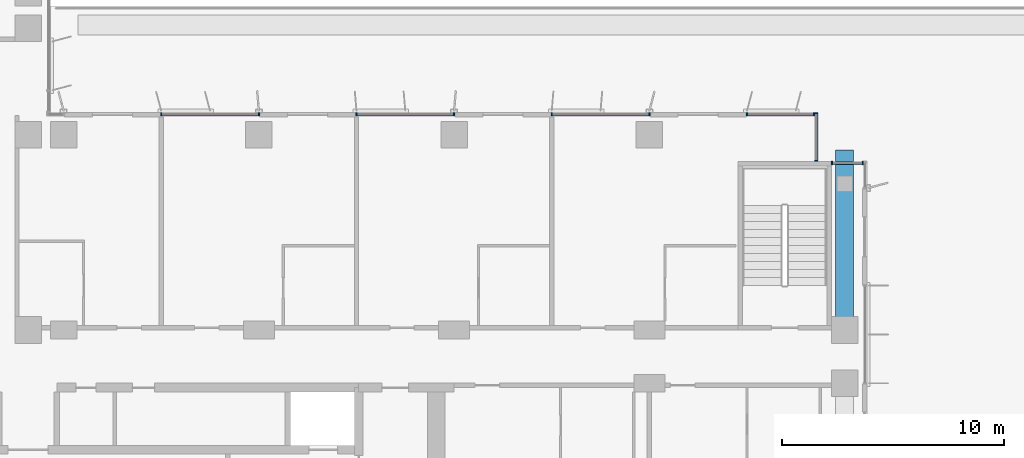
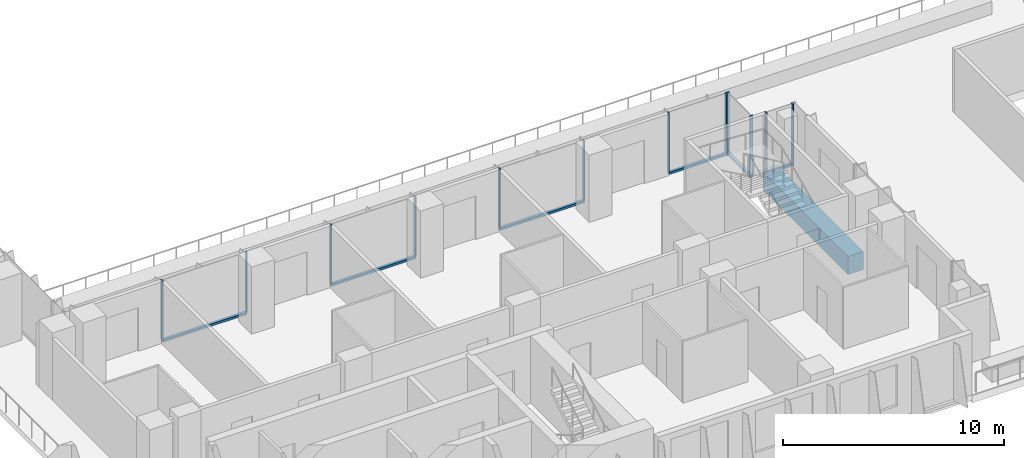
# One storey, part 4 of 27: 18 members, 1 beam, 6 elements without a shape of their own.
"""IFC4 building model written with IfcOpenShell, lengths in metres."""

from ifc_helpers import new_model, si_unit, direction, frame, origin, origin_2d, place, context, subcontext, project, spatial, rectangle, extrude, source, transform, mapped, material, material_profile, profile_set, type_object, element, aggregate, save


model = new_model("IFC4")

# Units and contexts
model_context = context("Model", 3, precision=1e-05, world=origin(), true_north=direction((0.0, 1.0)))
body_context = subcontext(model_context, "Body", "Model", "MODEL_VIEW")
ifc_project = project(units=[si_unit("LENGTHUNIT", "METRE"), si_unit("AREAUNIT", "SQUARE_METRE"), si_unit("VOLUMEUNIT", "CUBIC_METRE"), si_unit("PLANEANGLEUNIT", "RADIAN"), si_unit("MASSUNIT", "GRAM", prefix="KILO")], contexts=[model_context])

# Site, building, storey
site_placement = place(None, origin())
site = spatial("IfcSite", under=ifc_project, at=site_placement, CompositionType="ELEMENT")
building_placement = place(site_placement, origin())
building = spatial("IfcBuilding", under=site, at=building_placement, Name="Kemantara Hotel Tower", CompositionType="ELEMENT")
storey_placement = place(building_placement, frame((0.0, 0.0, 83.39990234375)))
storey = spatial("IfcBuildingStorey", under=building, at=storey_placement, Name="L19", CompositionType="ELEMENT", Elevation=83.39990234375)

# Beam
ifc_material_1 = material(Name="Concrete fc 70 MPa", Category="concrete")
ifc_material_profile_1 = material_profile(ifc_material_1, rectangle(XDim=0.800048828125, YDim=1.0, at=origin_2d()), Name="RC 800X1000")
ifc_profile_set_1 = profile_set([ifc_material_profile_1], Name="Concrete fc 70 MPa")
beam_type = type_object("IfcBeamType", Name="RC TRANSFER BEAM 800X1000 FC70", PredefinedType="BEAM", material=ifc_profile_set_1)
beam_placement = place(storey_placement, frame((62.60009765625, 12.60009765625, -0.7998046875), z_axis=(0.0, 1.0, 0.0), x_axis=(-1.0, 0.0, 0.0)))
element("IfcBeam", 1, at=beam_placement, inside=storey, type_object=beam_type, Name="Transfer beam TB2 L19", PredefinedType="BEAM", context=body_context, shape_type="SweptSolid", body=[
    extrude(rectangle(XDim=0.800048828125, YDim=1.0, at=origin_2d()), origin(), (0.0, 0.0, 1.0), 7.699951171875),
])

# Curtain wall, member
ifc_material_2 = material(Name="Toughened tinted glass 32 mm", Category="glass")
curtain_wall_type = type_object("IfcCurtainWallType", Name="TERRACE GLAZING WALL", PredefinedType="USERDEFINED", material=ifc_material_2)
curtain_wall_1_placement = place(storey_placement, origin())
curtain_wall_1 = element("IfcCurtainWall", 2, at=curtain_wall_1_placement, inside=storey, type_object=curtain_wall_type, Name="CW6 L19 T2-R13-1", ObjectType="TERRACE GLAZING WALL", PredefinedType="USERDEFINED")
ifc_material_3 = material(Name="Aluminium 6063-T6 bronze anodised", Category="aluminium")
ifc_material_profile_2 = material_profile(ifc_material_3, rectangle(XDim=0.14990234375, YDim=0.1201171875, at=origin_2d()), Name="TERRACE GLAZING WALL TRANSOM")
ifc_profile_set_2 = profile_set([ifc_material_profile_2], Name="Aluminium 6063-T6 bronze anodised")
member_type_1 = type_object("IfcMemberType", Name="TERRACE GLAZING WALL TRANSOM", PredefinedType="USERDEFINED", material=ifc_profile_set_2)
member_1_placement = place(storey_placement, frame((61.25, 21.925048828125, 0.06005859375), z_axis=(-1.0, 0.0, 0.0), x_axis=(0.0, -1.0, 0.0)))
member_1 = element("IfcMember", 3, at=member_1_placement, type_object=member_type_1, Name="CW6 sill transom T2-R13-1", ObjectType="TRANSOM", PredefinedType="USERDEFINED", context=body_context, shape_type="SweptSolid", body=[
    extrude(rectangle(XDim=0.14990234375, YDim=0.1201171875, at=origin_2d()), origin(), (0.0, 0.0, 1.0), 3.050048828125),
])

curtain_wall_2_placement = place(storey_placement, origin())
curtain_wall_2 = element("IfcCurtainWall", 4, at=curtain_wall_2_placement, inside=storey, type_object=curtain_wall_type, Name="CW6 L19 T2-R13-2", ObjectType="TERRACE GLAZING WALL", PredefinedType="USERDEFINED")
member_2_placement = place(storey_placement, frame((53.800048828125, 21.925048828125, 0.06005859375), z_axis=(-1.0, 0.0, 0.0), x_axis=(0.0, -1.0, 0.0)))
member_2 = element("IfcMember", 5, at=member_2_placement, type_object=member_type_1, Name="CW6 sill transom T2-R13-2", ObjectType="TRANSOM", PredefinedType="USERDEFINED", context=body_context, shape_type="SweptSolid", body=[
    extrude(rectangle(XDim=0.14990234375, YDim=0.1201171875, at=origin_2d()), origin(), (0.0, 0.0, 1.0), 4.400146484375),
])

curtain_wall_3_placement = place(storey_placement, origin())
curtain_wall_3 = element("IfcCurtainWall", 6, at=curtain_wall_3_placement, inside=storey, type_object=curtain_wall_type, Name="CW6 L19 T2-R13-3", ObjectType="TERRACE GLAZING WALL", PredefinedType="USERDEFINED")
member_3_placement = place(storey_placement, frame((45.0, 21.925048828125, 0.06005859375), z_axis=(-1.0, 0.0, 0.0), x_axis=(0.0, -1.0, 0.0)))
member_3 = element("IfcMember", 7, at=member_3_placement, type_object=member_type_1, Name="CW6 sill transom T2-R13-3", ObjectType="TRANSOM", PredefinedType="USERDEFINED", context=body_context, shape_type="SweptSolid", body=[
    extrude(rectangle(XDim=0.14990234375, YDim=0.1201171875, at=origin_2d()), origin(), (0.0, 0.0, 1.0), 4.39990234375),
])

curtain_wall_4_placement = place(storey_placement, origin())
curtain_wall_4 = element("IfcCurtainWall", 8, at=curtain_wall_4_placement, inside=storey, type_object=curtain_wall_type, Name="CW6 L19 T2-R13-4", ObjectType="TERRACE GLAZING WALL", PredefinedType="USERDEFINED")
member_4_placement = place(storey_placement, frame((36.199951171875, 21.925048828125, 0.06005859375), z_axis=(-1.0, 0.0, 0.0), x_axis=(0.0, -1.0, 0.0)))
member_4 = element("IfcMember", 9, at=member_4_placement, type_object=member_type_1, Name="CW6 sill transom T2-R13-4", ObjectType="TRANSOM", PredefinedType="USERDEFINED", context=body_context, shape_type="SweptSolid", body=[
    extrude(rectangle(XDim=0.14990234375, YDim=0.1201171875, at=origin_2d()), origin(), (0.0, 0.0, 1.0), 4.39990234375),
])

curtain_wall_5_placement = place(storey_placement, origin())
curtain_wall_5 = element("IfcCurtainWall", 10, at=curtain_wall_5_placement, inside=storey, type_object=curtain_wall_type, Name="CW6 L19 T2-R11-1", ObjectType="TERRACE GLAZING WALL", PredefinedType="USERDEFINED")
member_5_placement = place(storey_placement, frame((63.449951171875, 19.72509765625, 0.06005859375), z_axis=(-1.0, 0.0, 0.0), x_axis=(0.0, -1.0, 0.0)))
member_5 = element("IfcMember", 11, at=member_5_placement, type_object=member_type_1, Name="CW6 sill transom T2-R11-1", ObjectType="TRANSOM", PredefinedType="USERDEFINED", context=body_context, shape_type="SweptSolid", body=[
    extrude(rectangle(XDim=0.14990234375, YDim=0.1201171875, at=origin_2d()), origin(), (0.0, 0.0, 1.0), 1.449951171875),
])

curtain_wall_6_placement = place(storey_placement, origin())
curtain_wall_6 = element("IfcCurtainWall", 12, at=curtain_wall_6_placement, inside=storey, type_object=curtain_wall_type, Name="CW6 L19 T2-R12-1", ObjectType="TERRACE GLAZING WALL", PredefinedType="USERDEFINED")
member_6_placement = place(storey_placement, frame((61.324951171875, 19.800048828125, 0.06005859375), z_axis=(0.0, 1.0, 0.0), x_axis=(-1.0, 0.0, 0.0)))
member_6 = element("IfcMember", 13, at=member_6_placement, type_object=member_type_1, Name="CW6 sill transom T2-R12-1", ObjectType="TRANSOM", PredefinedType="USERDEFINED", context=body_context, shape_type="SweptSolid", body=[
    extrude(rectangle(XDim=0.14990234375, YDim=0.1201171875, at=origin_2d()), origin(), (0.0, 0.0, 1.0), 2.199951171875),
])

# Member
ifc_material_profile_3 = material_profile(ifc_material_3, rectangle(XDim=0.14990234375, YDim=0.06005859375, at=origin_2d()), Name="TERRACE GLAZING WALL MULLION")
ifc_profile_set_3 = profile_set([ifc_material_profile_3], Name="Aluminium 6063-T6 bronze anodised")
member_type_2 = type_object("IfcMemberType", Name="TERRACE GLAZING WALL MULLION", PredefinedType="MULLION", material=ifc_profile_set_3)
shared_shape = source(origin(), body_context, "Body", "SweptSolid", [
    extrude(rectangle(XDim=0.14990234375, YDim=0.06005859375, at=origin_2d()), origin(), (0.0, 0.0, 1.0), 3.280029296875),
])
member_7_placement = place(storey_placement, frame((61.219970703125, 21.925048828125, 0.1201171875), z_axis=(0.0, 0.0, 1.0), x_axis=(0.0, -1.0, 0.0)))
member_7 = element("IfcMember", 14, at=member_7_placement, type_object=member_type_2, Name="CW6 mullion T2-R13-1.1", PredefinedType="MULLION", context=body_context, shape_type="MappedRepresentation", body=[
    mapped(shared_shape, transform((0.0, 0.0, 0.0))),
])

member_8_placement = place(storey_placement, frame((58.199951171875, 21.925048828125, 0.1201171875), z_axis=(0.0, 0.0, 1.0), x_axis=(0.0, -1.0, 0.0)))
member_8 = element("IfcMember", 15, at=member_8_placement, type_object=member_type_2, Name="CW6 mullion T2-R13-1.2", PredefinedType="MULLION", context=body_context, shape_type="MappedRepresentation", body=[
    mapped(shared_shape, transform((0.0, 0.0, 0.0))),
])

aggregate(curtain_wall_1, [member_1, member_7, member_8])

member_9_placement = place(storey_placement, frame((53.800048828125, 21.925048828125, 0.1201171875), z_axis=(0.0, 0.0, 1.0), x_axis=(0.0, -1.0, 0.0)))
member_9 = element("IfcMember", 16, at=member_9_placement, type_object=member_type_2, Name="CW6 mullion T2-R13-2.1", PredefinedType="MULLION", context=body_context, shape_type="MappedRepresentation", body=[
    mapped(shared_shape, transform((0.0, 0.0, 0.0))),
])

member_10_placement = place(storey_placement, frame((49.39990234375, 21.925048828125, 0.1201171875), z_axis=(0.0, 0.0, 1.0), x_axis=(0.0, -1.0, 0.0)))
member_10 = element("IfcMember", 17, at=member_10_placement, type_object=member_type_2, Name="CW6 mullion T2-R13-2.2", PredefinedType="MULLION", context=body_context, shape_type="MappedRepresentation", body=[
    mapped(shared_shape, transform((0.0, 0.0, 0.0))),
])

aggregate(curtain_wall_2, [member_2, member_9, member_10])

member_11_placement = place(storey_placement, frame((45.0, 21.925048828125, 0.1201171875), z_axis=(0.0, 0.0, 1.0), x_axis=(0.0, -1.0, 0.0)))
member_11 = element("IfcMember", 18, at=member_11_placement, type_object=member_type_2, Name="CW6 mullion T2-R13-3.1", PredefinedType="MULLION", context=body_context, shape_type="MappedRepresentation", body=[
    mapped(shared_shape, transform((0.0, 0.0, 0.0))),
])

member_12_placement = place(storey_placement, frame((40.60009765625, 21.925048828125, 0.1201171875), z_axis=(0.0, 0.0, 1.0), x_axis=(0.0, -1.0, 0.0)))
member_12 = element("IfcMember", 19, at=member_12_placement, type_object=member_type_2, Name="CW6 mullion T2-R13-3.2", PredefinedType="MULLION", context=body_context, shape_type="MappedRepresentation", body=[
    mapped(shared_shape, transform((0.0, 0.0, 0.0))),
])

aggregate(curtain_wall_3, [member_3, member_11, member_12])

member_13_placement = place(storey_placement, frame((36.199951171875, 21.925048828125, 0.1201171875), z_axis=(0.0, 0.0, 1.0), x_axis=(0.0, -1.0, 0.0)))
member_13 = element("IfcMember", 20, at=member_13_placement, type_object=member_type_2, Name="CW6 mullion T2-R13-4.1", PredefinedType="MULLION", context=body_context, shape_type="MappedRepresentation", body=[
    mapped(shared_shape, transform((0.0, 0.0, 0.0))),
])

member_14_placement = place(storey_placement, frame((31.800048828125, 21.925048828125, 0.1201171875), z_axis=(0.0, 0.0, 1.0), x_axis=(0.0, -1.0, 0.0)))
member_14 = element("IfcMember", 21, at=member_14_placement, type_object=member_type_2, Name="CW6 mullion T2-R13-4.2", PredefinedType="MULLION", context=body_context, shape_type="MappedRepresentation", body=[
    mapped(shared_shape, transform((0.0, 0.0, 0.0))),
])

aggregate(curtain_wall_4, [member_4, member_13, member_14])

member_15_placement = place(storey_placement, frame((63.419921875, 19.72509765625, 0.1201171875), z_axis=(0.0, 0.0, 1.0), x_axis=(0.0, -1.0, 0.0)))
member_15 = element("IfcMember", 22, at=member_15_placement, type_object=member_type_2, Name="CW6 mullion T2-R11-1.1", PredefinedType="MULLION", context=body_context, shape_type="MappedRepresentation", body=[
    mapped(shared_shape, transform((0.0, 0.0, 0.0))),
])

member_16_placement = place(storey_placement, frame((62.030029296875, 19.72509765625, 0.1201171875), z_axis=(0.0, 0.0, 1.0), x_axis=(0.0, -1.0, 0.0)))
member_16 = element("IfcMember", 23, at=member_16_placement, type_object=member_type_2, Name="CW6 mullion T2-R11-1.2", PredefinedType="MULLION", context=body_context, shape_type="MappedRepresentation", body=[
    mapped(shared_shape, transform((0.0, 0.0, 0.0))),
])

aggregate(curtain_wall_5, [member_5, member_15, member_16])

member_17_placement = place(storey_placement, frame((61.324951171875, 19.830078125, 0.1201171875), z_axis=(0.0, 0.0, 1.0), x_axis=(-1.0, 0.0, 0.0)))
member_17 = element("IfcMember", 24, at=member_17_placement, type_object=member_type_2, Name="CW6 mullion T2-R12-1.1", PredefinedType="MULLION", context=body_context, shape_type="MappedRepresentation", body=[
    mapped(shared_shape, transform((0.0, 0.0, 0.0))),
])

member_18_placement = place(storey_placement, frame((61.324951171875, 21.969970703125, 0.1201171875), z_axis=(0.0, 0.0, 1.0), x_axis=(-1.0, 0.0, 0.0)))
member_18 = element("IfcMember", 25, at=member_18_placement, type_object=member_type_2, Name="CW6 mullion T2-R12-1.2", PredefinedType="MULLION", context=body_context, shape_type="MappedRepresentation", body=[
    mapped(shared_shape, transform((0.0, 0.0, 0.0))),
])

aggregate(curtain_wall_6, [member_6, member_17, member_18])

save(model, "model.ifc")
